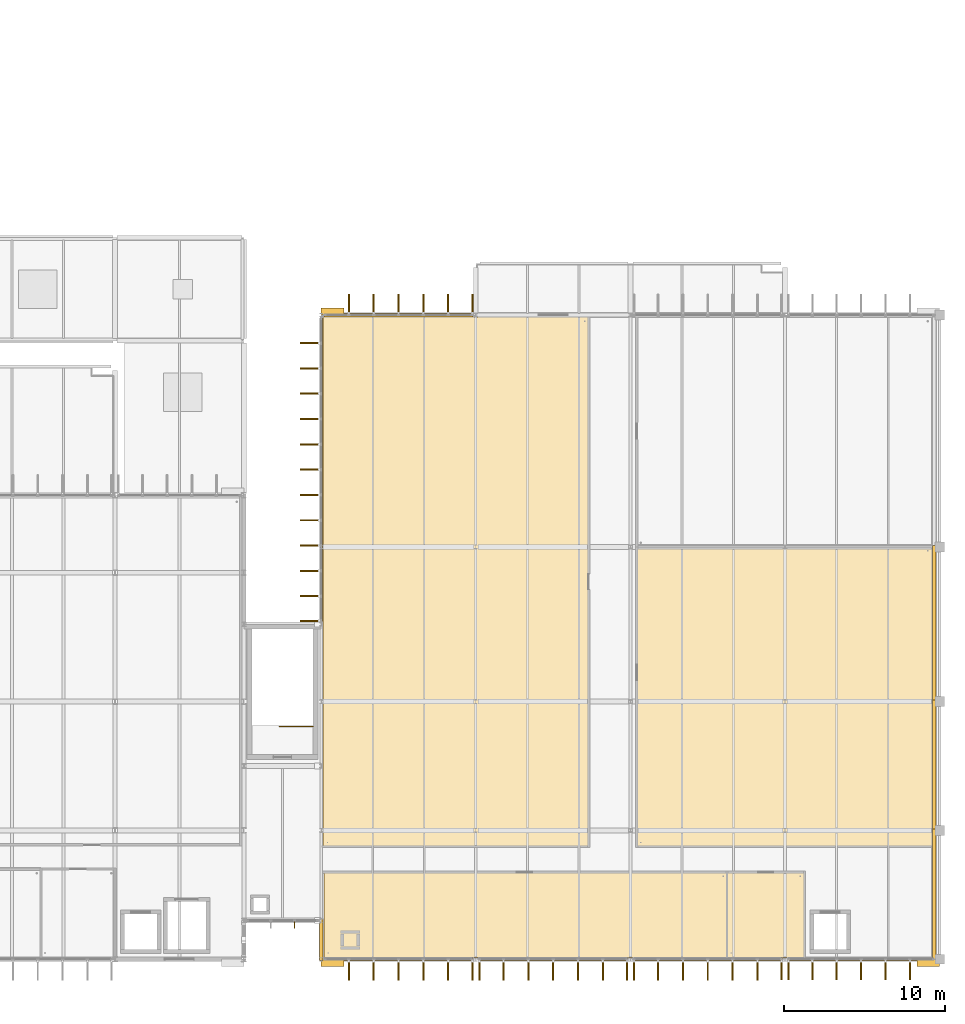
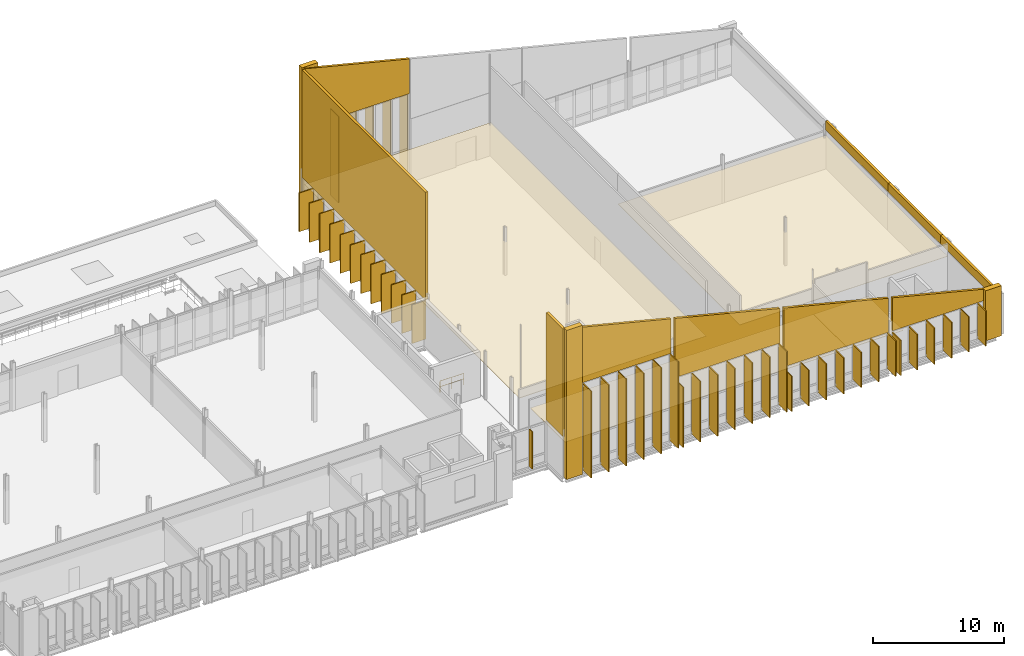
# One storey, part 109 of 110: 61 coverings, 1 railing, 1 shading device.
"""IFC4 building model written with IfcOpenShell, lengths in metres."""

from ifc_helpers import new_model, si_unit, direction, frame, origin, origin_2d, place, context, subcontext, project, spatial, polyline, rectangle, circle, outline, extrude, material, layer, layer_set, type_object, element, save


model = new_model("IFC4")

# Units and contexts
model_context = context("Model", 3, precision=1e-05, world=origin(), true_north=direction((0.0, 1.0)))
body_context = subcontext(model_context, "Body", "Model", "MODEL_VIEW")
ifc_project = project(units=[si_unit("LENGTHUNIT", "METRE"), si_unit("AREAUNIT", "SQUARE_METRE"), si_unit("VOLUMEUNIT", "CUBIC_METRE"), si_unit("PLANEANGLEUNIT", "RADIAN"), si_unit("MASSUNIT", "GRAM", prefix="KILO")], contexts=[model_context])

# Site, building, storey
site_placement = place(None, origin())
site = spatial("IfcSite", under=ifc_project, at=site_placement, CompositionType="ELEMENT")
building_placement = place(site_placement, origin())
building = spatial("IfcBuilding", under=site, at=building_placement, Name="Dunescarp Central Library", CompositionType="ELEMENT")
storey_placement = place(building_placement, frame((0.0, 0.0, 9.60009765625)))
storey = spatial("IfcBuildingStorey", under=building, at=storey_placement, Name="L02", CompositionType="ELEMENT", Elevation=9.60009765625)

# Coverings
ifc_material_1 = material(Name="Mineral-fibre acoustic ceiling tile")
ifc_layer_1 = layer(ifc_material_1, 0.0400390625)
ifc_layer_set_1 = layer_set([ifc_layer_1], Name="Mineral-fibre acoustic ceiling tile")
covering_type_1 = type_object("IfcCoveringType", Name="ARC-COV-CEIL40", PredefinedType="CEILING", material=ifc_layer_set_1)
covering_1_placement = place(storey_placement, frame((0.0, 0.0, 3.0498046875)))
element("IfcCovering", 1, at=covering_1_placement, inside=storey, type_object=covering_type_1, Name="L02 ceiling Family & Accessible WC", PredefinedType="CEILING", context=body_context, shape_type="SweptSolid", body=[
    extrude(outline(polyline([(154.780029296875, 4.919921875), (159.6201171875, 4.919921875), (159.6201171875, 10.219970703125), (154.780029296875, 10.219970703125), (154.780029296875, 4.919921875)])), origin(), (0.0, 0.0, 1.0), 0.0400390625),
])
covering_2_placement = place(storey_placement, frame((0.0, 0.0, 3.0498046875)))
element("IfcCovering", 2, at=covering_2_placement, inside=storey, type_object=covering_type_1, Name="L02 ceiling Young Adult Graphic Novel & Music Lounge", PredefinedType="CEILING", context=body_context, shape_type="SweptSolid", body=[
    extrude(outline(polyline([(129.780029296875, 4.919921875), (154.820068359375, 4.919921875), (154.820068359375, 10.219970703125), (129.780029296875, 10.219970703125), (129.780029296875, 4.919921875)])), origin(), (0.0, 0.0, 1.0), 0.0400390625),
])
covering_3_placement = place(storey_placement, frame((0.0, 0.0, 3.0498046875)))
element("IfcCovering", 3, at=covering_3_placement, inside=storey, type_object=covering_type_1, Name="L02 ceiling Teen Exam Study & Career Hub", PredefinedType="CEILING", context=body_context, shape_type="SweptSolid", body=[
    extrude(outline(polyline([(129.719970703125, 11.780029296875), (146.219970703125, 11.780029296875), (146.219970703125, 44.679931640625), (129.719970703125, 44.679931640625), (129.719970703125, 11.780029296875)])), origin(), (0.0, 0.0, 1.0), 0.0400390625),
])
covering_4_placement = place(storey_placement, frame((0.0, 0.0, 3.0498046875)))
element("IfcCovering", 4, at=covering_4_placement, inside=storey, type_object=covering_type_1, Name="L02 ceiling Youth Digital Gaming & Coding Salon", PredefinedType="CEILING", context=body_context, shape_type="SweptSolid", body=[
    extrude(outline(polyline([(149.179931640625, 11.780029296875), (167.530029296875, 11.780029296875), (167.530029296875, 30.419921875), (149.179931640625, 30.419921875), (149.179931640625, 11.780029296875)])), origin(), (0.0, 0.0, 1.0), 0.0400390625),
])
ifc_material_2 = material(Name="Glass-fibre reinforced concrete GRC", Category="concrete")
ifc_layer_2 = layer(ifc_material_2, 0.219970703125)
ifc_layer_set_2 = layer_set([ifc_layer_2], Name="Glass-fibre reinforced concrete GRC")
covering_type_2 = type_object("IfcCoveringType", Name="ARC-COV-CLER", PredefinedType="CLADDING", material=ifc_layer_set_2)
covering_5_placement = place(storey_placement, frame((139.02490234375, 4.800048828125, 8.296875), z_axis=(0.0, 0.0, 1.0), x_axis=(-1.0, 0.0, 0.0)))
element("IfcCovering", 5, at=covering_5_placement, inside=storey, type_object=covering_type_2, Name="L02 V5 raked clerestory closure CLR-V5-L02-082", PredefinedType="CLADDING", context=body_context, shape_type="SweptSolid", body=[
    extrude(outline(polyline([(0.0, 0.0), (9.25, 0.0), (9.25, 5.5361328125), (0.0, 3.22314453125), (0.0, 0.0)])), frame((0.0, 0.10986328125, 0.0), z_axis=(0.0, -1.0, 0.0), x_axis=(1.0, 0.0, 0.0)), (0.0, 0.0, 1.0), 0.219970703125),
])
covering_6_placement = place(storey_placement, frame((148.625, 4.800048828125, 5.89697265625), z_axis=(0.0, 0.0, 1.0), x_axis=(-1.0, 0.0, 0.0)))
element("IfcCovering", 6, at=covering_6_placement, inside=storey, type_object=covering_type_2, Name="L02 V5 raked clerestory closure CLR-V5-L02-083", PredefinedType="CLADDING", context=body_context, shape_type="SweptSolid", body=[
    extrude(outline(polyline([(0.0, 0.0), (9.25, 0.0), (9.25, 5.534912109375), (0.0, 3.222900390625), (0.0, 0.0)])), frame((0.0, 0.10986328125, 0.0), z_axis=(0.0, -1.0, 0.0), x_axis=(1.0, 0.0, 0.0)), (0.0, 0.0, 1.0), 0.219970703125),
])
covering_7_placement = place(storey_placement, frame((158.22509765625, 4.800048828125, 3.546875), z_axis=(0.0, 0.0, 1.0), x_axis=(-1.0, 0.0, 0.0)))
element("IfcCovering", 7, at=covering_7_placement, inside=storey, type_object=covering_type_2, Name="L02 V5 raked clerestory closure CLR-V5-L02-084", PredefinedType="CLADDING", context=body_context, shape_type="SweptSolid", body=[
    extrude(outline(polyline([(0.0, 0.0), (9.25, 0.0), (9.25, 5.486083984375), (0.0, 3.173095703125), (0.0, 0.0)])), frame((0.0, 0.10986328125, 0.0), z_axis=(0.0, -1.0, 0.0), x_axis=(1.0, 0.0, 0.0)), (0.0, 0.0, 1.0), 0.219970703125),
])
covering_8_placement = place(storey_placement, frame((167.6650390625, 4.800048828125, 3.546875), z_axis=(0.0, 0.0, 1.0), x_axis=(-1.0, 0.0, 0.0)))
element("IfcCovering", 8, at=covering_8_placement, inside=storey, type_object=covering_type_2, Name="L02 V5 raked clerestory closure CLR-V5-L02-085", PredefinedType="CLADDING", context=body_context, shape_type="SweptSolid", body=[
    extrude(outline(polyline([(0.0, 0.0), (9.090087890625, 0.0), (9.090087890625, 3.0859375), (0.0, 0.81298828125), (0.0, 0.0)])), frame((0.0, 0.10986328125, 0.0), z_axis=(0.0, -1.0, 0.0), x_axis=(1.0, 0.0, 0.0)), (0.0, 0.0, 1.0), 0.219970703125),
])
covering_9_placement = place(storey_placement, frame((129.77490234375, 44.800048828125, 8.296875), z_axis=(0.0, 0.0, 1.0), x_axis=(1.0, 0.0, 0.0)))
element("IfcCovering", 9, at=covering_9_placement, inside=storey, type_object=covering_type_2, Name="L02 V5 raked clerestory closure CLR-V5-L02-086", PredefinedType="CLADDING", context=body_context, shape_type="SweptSolid", body=[
    extrude(outline(polyline([(0.0, 0.0), (9.25, 0.0), (9.25, 3.22314453125), (0.0, 5.5361328125), (0.0, 0.0)])), frame((0.0, 0.10986328125, 0.0), z_axis=(0.0, -1.0, 0.0), x_axis=(1.0, 0.0, 0.0)), (0.0, 0.0, 1.0), 0.219970703125),
])
for number, where, z_axis, x_axis, name in (
    (10, (167.64990234375, 12.885009765625, 3.546875), (0.0, 0.0, 1.0), (0.0, -1.0, 0.0), "L02 V5 raked clerestory closure CLR-V5-L02-090"),
    (11, (167.64990234375, 20.885009765625, 3.546875), (0.0, 0.0, 1.0), (0.0, -1.0, 0.0), "L02 V5 raked clerestory closure CLR-V5-L02-091"),
):
    element("IfcCovering", number, at=place(storey_placement, frame(where, z_axis=z_axis, x_axis=x_axis)), inside=storey, type_object=covering_type_2, Name=name, PredefinedType="CLADDING", context=body_context, shape_type="SweptSolid", body=[
        extrude(outline(polyline([(0.0, 0.0), (8.169921875, 0.0), (8.169921875, 0.817138671875), (0.0, 0.817138671875), (0.0, 0.0)])), frame((0.0, 0.10986328125, 0.0), z_axis=(0.0, -1.0, 0.0), x_axis=(1.0, 0.0, 0.0)), (0.0, 0.0, 1.0), 0.219970703125),
    ])
covering_10_placement = place(storey_placement, frame((167.64990234375, 30.485107421875, 3.546875), z_axis=(0.0, 0.0, 1.0), x_axis=(0.0, -1.0, 0.0)))
element("IfcCovering", 12, at=covering_10_placement, inside=storey, type_object=covering_type_2, Name="L02 V5 raked clerestory closure CLR-V5-L02-092", PredefinedType="CLADDING", context=body_context, shape_type="SweptSolid", body=[
    extrude(outline(polyline([(0.0, 0.0), (9.77001953125, 0.0), (9.77001953125, 0.817138671875), (0.0, 0.817138671875), (0.0, 0.0)])), frame((0.0, 0.10986328125, 0.0), z_axis=(0.0, -1.0, 0.0), x_axis=(1.0, 0.0, 0.0)), (0.0, 0.0, 1.0), 0.219970703125),
])
covering_11_placement = place(storey_placement, frame((129.60009765625, 4.715087890625, 3.841796875), z_axis=(0.0, 0.0, 1.0), x_axis=(0.0, 1.0, 0.0)))
element("IfcCovering", 13, at=covering_11_placement, inside=storey, type_object=covering_type_2, Name="L02 V5 raked clerestory closure CLR-V5-L02-094", PredefinedType="CLADDING", context=body_context, shape_type="SweptSolid", body=[
    extrude(outline(polyline([(0.0, 0.0), (2.56982421875, 0.0), (2.570068359375, 10.0341796875), (0.0, 10.0341796875), (0.0, 0.0)])), frame((0.0, 0.10986328125, 0.0), z_axis=(0.0, -1.0, 0.0), x_axis=(1.0, 0.0, 0.0)), (0.0, 0.0, 1.0), 0.219970703125),
])
covering_12_placement = place(storey_placement, frame((129.60009765625, 25.77490234375, 3.841796875), z_axis=(0.0, 0.0, 1.0), x_axis=(0.0, 1.0, 0.0)))
element("IfcCovering", 14, at=covering_12_placement, inside=storey, type_object=covering_type_2, Name="L02 V5 raked clerestory closure CLR-V5-L02-095", PredefinedType="CLADDING", context=body_context, shape_type="SweptSolid", body=[
    extrude(outline(polyline([(0.0, 0.0), (18.85009765625, 0.0), (18.85009765625, 10.0341796875), (0.0, 10.0341796875), (0.0, 0.0)])), frame((0.0, 0.10986328125, 0.0), z_axis=(0.0, -1.0, 0.0), x_axis=(1.0, 0.0, 0.0)), (0.0, 0.0, 1.0), 0.219970703125),
])
ifc_layer_3 = layer(ifc_material_2, 0.090087890625)
ifc_layer_set_3 = layer_set([ifc_layer_3], Name="Glass-fibre reinforced concrete GRC")
covering_type_3 = type_object("IfcCoveringType", Name="ARC-COV-FIN1250", PredefinedType="CLADDING", material=ifc_layer_set_3)
covering_13_placement = place(storey_placement, frame((138.985107421875, 4.137939453125, 0.16650390625), z_axis=(0.0, 0.0, 1.0), x_axis=(0.0, -1.0, 0.0)))
element("IfcCovering", 15, at=covering_13_placement, inside=storey, type_object=covering_type_3, Name="L02 parametric vertical facade fin FIN-L02-1030", PredefinedType="CLADDING", context=body_context, shape_type="SweptSolid", body=[
    extrude(rectangle(XDim=1.25, YDim=0.090087890625, at=origin_2d()), origin(), (0.0, 0.0, 1.0), 8.052978515625),
])
covering_14_placement = place(storey_placement, frame((137.48291015625, 4.137939453125, 0.179931640625), z_axis=(0.0, 0.0, 1.0), x_axis=(0.0, -1.0, 0.0)))
element("IfcCovering", 16, at=covering_14_placement, inside=storey, type_object=covering_type_3, Name="L02 parametric vertical facade fin FIN-L02-1031", PredefinedType="CLADDING", context=body_context, shape_type="SweptSolid", body=[
    extrude(rectangle(XDim=1.25, YDim=0.090087890625, at=origin_2d()), origin(), (0.0, 0.0, 1.0), 8.0400390625),
])
covering_15_placement = place(storey_placement, frame((135.94189453125, 4.137939453125, 0.1640625), z_axis=(0.0, 0.0, 1.0), x_axis=(0.0, -1.0, 0.0)))
element("IfcCovering", 17, at=covering_15_placement, inside=storey, type_object=covering_type_3, Name="L02 parametric vertical facade fin FIN-L02-1032", PredefinedType="CLADDING", context=body_context, shape_type="SweptSolid", body=[
    extrude(rectangle(XDim=1.25, YDim=0.090087890625, at=origin_2d()), origin(), (0.0, 0.0, 1.0), 8.055908203125),
])
covering_16_placement = place(storey_placement, frame((134.39990234375, 4.137939453125, 0.12255859375), z_axis=(0.0, 0.0, 1.0), x_axis=(0.0, -1.0, 0.0)))
element("IfcCovering", 18, at=covering_16_placement, inside=storey, type_object=covering_type_3, Name="L02 parametric vertical facade fin FIN-L02-1033", PredefinedType="CLADDING", context=body_context, shape_type="SweptSolid", body=[
    extrude(rectangle(XDim=1.25, YDim=0.090087890625, at=origin_2d()), origin(), (0.0, 0.0, 1.0), 8.096923828125),
])
covering_17_placement = place(storey_placement, frame((132.85791015625, 4.137939453125, 0.08056640625), z_axis=(0.0, 0.0, 1.0), x_axis=(0.0, -1.0, 0.0)))
element("IfcCovering", 19, at=covering_17_placement, inside=storey, type_object=covering_type_3, Name="L02 parametric vertical facade fin FIN-L02-1034", PredefinedType="CLADDING", context=body_context, shape_type="SweptSolid", body=[
    extrude(rectangle(XDim=1.25, YDim=0.090087890625, at=origin_2d()), origin(), (0.0, 0.0, 1.0), 8.12890625),
])
covering_18_placement = place(storey_placement, frame((131.31689453125, 4.137939453125, 0.080322265625), z_axis=(0.0, 0.0, 1.0), x_axis=(0.0, -1.0, 0.0)))
element("IfcCovering", 20, at=covering_18_placement, inside=storey, type_object=covering_type_3, Name="L02 parametric vertical facade fin FIN-L02-1035", PredefinedType="CLADDING", context=body_context, shape_type="SweptSolid", body=[
    extrude(rectangle(XDim=1.25, YDim=0.090087890625, at=origin_2d()), origin(), (0.0, 0.0, 1.0), 8.0791015625),
])
covering_19_placement = place(storey_placement, frame((148.5849609375, 4.137939453125, 0.16650390625), z_axis=(0.0, 0.0, 1.0), x_axis=(0.0, -1.0, 0.0)))
element("IfcCovering", 21, at=covering_19_placement, inside=storey, type_object=covering_type_3, Name="L02 parametric vertical facade fin FIN-L02-1036", PredefinedType="CLADDING", context=body_context, shape_type="SweptSolid", body=[
    extrude(rectangle(XDim=1.25, YDim=0.090087890625, at=origin_2d()), origin(), (0.0, 0.0, 1.0), 5.653076171875),
])
covering_20_placement = place(storey_placement, frame((147.0830078125, 4.137939453125, 0.18017578125), z_axis=(0.0, 0.0, 1.0), x_axis=(0.0, -1.0, 0.0)))
element("IfcCovering", 22, at=covering_20_placement, inside=storey, type_object=covering_type_3, Name="L02 parametric vertical facade fin FIN-L02-1037", PredefinedType="CLADDING", context=body_context, shape_type="SweptSolid", body=[
    extrude(rectangle(XDim=1.25, YDim=0.090087890625, at=origin_2d()), origin(), (0.0, 0.0, 1.0), 5.639892578125),
])
covering_21_placement = place(storey_placement, frame((145.5419921875, 4.137939453125, 0.1640625), z_axis=(0.0, 0.0, 1.0), x_axis=(0.0, -1.0, 0.0)))
element("IfcCovering", 23, at=covering_21_placement, inside=storey, type_object=covering_type_3, Name="L02 parametric vertical facade fin FIN-L02-1038", PredefinedType="CLADDING", context=body_context, shape_type="SweptSolid", body=[
    extrude(rectangle(XDim=1.25, YDim=0.090087890625, at=origin_2d()), origin(), (0.0, 0.0, 1.0), 5.656005859375),
])
covering_22_placement = place(storey_placement, frame((144.0, 4.137939453125, 0.12353515625), z_axis=(0.0, 0.0, 1.0), x_axis=(0.0, -1.0, 0.0)))
element("IfcCovering", 24, at=covering_22_placement, inside=storey, type_object=covering_type_3, Name="L02 parametric vertical facade fin FIN-L02-1039", PredefinedType="CLADDING", context=body_context, shape_type="SweptSolid", body=[
    extrude(rectangle(XDim=1.25, YDim=0.090087890625, at=origin_2d()), origin(), (0.0, 0.0, 1.0), 5.697021484375),
])
covering_23_placement = place(storey_placement, frame((142.4580078125, 4.137939453125, 0.079345703125), z_axis=(0.0, 0.0, 1.0), x_axis=(0.0, -1.0, 0.0)))
element("IfcCovering", 25, at=covering_23_placement, inside=storey, type_object=covering_type_3, Name="L02 parametric vertical facade fin FIN-L02-1040", PredefinedType="CLADDING", context=body_context, shape_type="SweptSolid", body=[
    extrude(rectangle(XDim=1.25, YDim=0.090087890625, at=origin_2d()), origin(), (0.0, 0.0, 1.0), 5.72900390625),
])
covering_24_placement = place(storey_placement, frame((140.9169921875, 4.137939453125, 0.08056640625), z_axis=(0.0, 0.0, 1.0), x_axis=(0.0, -1.0, 0.0)))
element("IfcCovering", 26, at=covering_24_placement, inside=storey, type_object=covering_type_3, Name="L02 parametric vertical facade fin FIN-L02-1041", PredefinedType="CLADDING", context=body_context, shape_type="SweptSolid", body=[
    extrude(rectangle(XDim=1.25, YDim=0.090087890625, at=origin_2d()), origin(), (0.0, 0.0, 1.0), 5.678955078125),
])
covering_25_placement = place(storey_placement, frame((139.4150390625, 4.137939453125, 0.079833984375), z_axis=(0.0, 0.0, 1.0), x_axis=(0.0, -1.0, 0.0)))
element("IfcCovering", 27, at=covering_25_placement, inside=storey, type_object=covering_type_3, Name="L02 parametric vertical facade fin FIN-L02-1042", PredefinedType="CLADDING", context=body_context, shape_type="SweptSolid", body=[
    extrude(rectangle(XDim=1.25, YDim=0.090087890625, at=origin_2d()), origin(), (0.0, 0.0, 1.0), 5.64599609375),
])
covering_26_placement = place(storey_placement, frame((158.18505859375, 4.137939453125, 0.16650390625), z_axis=(0.0, 0.0, 1.0), x_axis=(0.0, -1.0, 0.0)))
element("IfcCovering", 28, at=covering_26_placement, inside=storey, type_object=covering_type_3, Name="L02 parametric vertical facade fin FIN-L02-1043", PredefinedType="CLADDING", context=body_context, shape_type="SweptSolid", body=[
    extrude(rectangle(XDim=1.25, YDim=0.090087890625, at=origin_2d()), origin(), (0.0, 0.0, 1.0), 3.302978515625),
])
covering_27_placement = place(storey_placement, frame((156.68310546875, 4.137939453125, 0.179931640625), z_axis=(0.0, 0.0, 1.0), x_axis=(0.0, -1.0, 0.0)))
element("IfcCovering", 29, at=covering_27_placement, inside=storey, type_object=covering_type_3, Name="L02 parametric vertical facade fin FIN-L02-1044", PredefinedType="CLADDING", context=body_context, shape_type="SweptSolid", body=[
    extrude(rectangle(XDim=1.25, YDim=0.090087890625, at=origin_2d()), origin(), (0.0, 0.0, 1.0), 3.2900390625),
])
covering_28_placement = place(storey_placement, frame((155.14208984375, 4.137939453125, 0.1640625), z_axis=(0.0, 0.0, 1.0), x_axis=(0.0, -1.0, 0.0)))
element("IfcCovering", 30, at=covering_28_placement, inside=storey, type_object=covering_type_3, Name="L02 parametric vertical facade fin FIN-L02-1045", PredefinedType="CLADDING", context=body_context, shape_type="SweptSolid", body=[
    extrude(rectangle(XDim=1.25, YDim=0.090087890625, at=origin_2d()), origin(), (0.0, 0.0, 1.0), 3.305908203125),
])
covering_29_placement = place(storey_placement, frame((153.60009765625, 4.137939453125, 0.12255859375), z_axis=(0.0, 0.0, 1.0), x_axis=(0.0, -1.0, 0.0)))
element("IfcCovering", 31, at=covering_29_placement, inside=storey, type_object=covering_type_3, Name="L02 parametric vertical facade fin FIN-L02-1046", PredefinedType="CLADDING", context=body_context, shape_type="SweptSolid", body=[
    extrude(rectangle(XDim=1.25, YDim=0.090087890625, at=origin_2d()), origin(), (0.0, 0.0, 1.0), 3.346923828125),
])
covering_30_placement = place(storey_placement, frame((152.05810546875, 4.137939453125, 0.079345703125), z_axis=(0.0, 0.0, 1.0), x_axis=(0.0, -1.0, 0.0)))
element("IfcCovering", 32, at=covering_30_placement, inside=storey, type_object=covering_type_3, Name="L02 parametric vertical facade fin FIN-L02-1047", PredefinedType="CLADDING", context=body_context, shape_type="SweptSolid", body=[
    extrude(rectangle(XDim=1.25, YDim=0.090087890625, at=origin_2d()), origin(), (0.0, 0.0, 1.0), 3.37890625),
])
covering_31_placement = place(storey_placement, frame((150.51708984375, 4.137939453125, 0.080322265625), z_axis=(0.0, 0.0, 1.0), x_axis=(0.0, -1.0, 0.0)))
element("IfcCovering", 33, at=covering_31_placement, inside=storey, type_object=covering_type_3, Name="L02 parametric vertical facade fin FIN-L02-1048", PredefinedType="CLADDING", context=body_context, shape_type="SweptSolid", body=[
    extrude(rectangle(XDim=1.25, YDim=0.090087890625, at=origin_2d()), origin(), (0.0, 0.0, 1.0), 3.3291015625),
])
covering_32_placement = place(storey_placement, frame((149.014892578125, 4.137939453125, 0.079833984375), z_axis=(0.0, 0.0, 1.0), x_axis=(0.0, -1.0, 0.0)))
element("IfcCovering", 34, at=covering_32_placement, inside=storey, type_object=covering_type_3, Name="L02 parametric vertical facade fin FIN-L02-1049", PredefinedType="CLADDING", context=body_context, shape_type="SweptSolid", body=[
    extrude(rectangle(XDim=1.25, YDim=0.090087890625, at=origin_2d()), origin(), (0.0, 0.0, 1.0), 3.2958984375),
])
covering_33_placement = place(storey_placement, frame((166.14990234375, 4.137939453125, 0.179931640625), z_axis=(0.0, 0.0, 1.0), x_axis=(0.0, -1.0, 0.0)))
element("IfcCovering", 35, at=covering_33_placement, inside=storey, type_object=covering_type_3, Name="L02 parametric vertical facade fin FIN-L02-1050", PredefinedType="CLADDING", context=body_context, shape_type="SweptSolid", body=[
    extrude(rectangle(XDim=1.25, YDim=0.090087890625, at=origin_2d()), origin(), (0.0, 0.0, 1.0), 3.2900390625),
])
covering_34_placement = place(storey_placement, frame((164.635009765625, 4.137939453125, 0.1640625), z_axis=(0.0, 0.0, 1.0), x_axis=(0.0, -1.0, 0.0)))
element("IfcCovering", 36, at=covering_34_placement, inside=storey, type_object=covering_type_3, Name="L02 parametric vertical facade fin FIN-L02-1051", PredefinedType="CLADDING", context=body_context, shape_type="SweptSolid", body=[
    extrude(rectangle(XDim=1.25, YDim=0.090087890625, at=origin_2d()), origin(), (0.0, 0.0, 1.0), 3.305908203125),
])
covering_35_placement = place(storey_placement, frame((163.1201171875, 4.137939453125, 0.12255859375), z_axis=(0.0, 0.0, 1.0), x_axis=(0.0, -1.0, 0.0)))
element("IfcCovering", 37, at=covering_35_placement, inside=storey, type_object=covering_type_3, Name="L02 parametric vertical facade fin FIN-L02-1052", PredefinedType="CLADDING", context=body_context, shape_type="SweptSolid", body=[
    extrude(rectangle(XDim=1.25, YDim=0.090087890625, at=origin_2d()), origin(), (0.0, 0.0, 1.0), 3.346923828125),
])
covering_36_placement = place(storey_placement, frame((161.60498046875, 4.137939453125, 0.079345703125), z_axis=(0.0, 0.0, 1.0), x_axis=(0.0, -1.0, 0.0)))
element("IfcCovering", 38, at=covering_36_placement, inside=storey, type_object=covering_type_3, Name="L02 parametric vertical facade fin FIN-L02-1053", PredefinedType="CLADDING", context=body_context, shape_type="SweptSolid", body=[
    extrude(rectangle(XDim=1.25, YDim=0.090087890625, at=origin_2d()), origin(), (0.0, 0.0, 1.0), 3.37890625),
])
covering_37_placement = place(storey_placement, frame((160.090087890625, 4.137939453125, 0.080322265625), z_axis=(0.0, 0.0, 1.0), x_axis=(0.0, -1.0, 0.0)))
element("IfcCovering", 39, at=covering_37_placement, inside=storey, type_object=covering_type_3, Name="L02 parametric vertical facade fin FIN-L02-1054", PredefinedType="CLADDING", context=body_context, shape_type="SweptSolid", body=[
    extrude(rectangle(XDim=1.25, YDim=0.090087890625, at=origin_2d()), origin(), (0.0, 0.0, 1.0), 3.3291015625),
])
covering_38_placement = place(storey_placement, frame((158.614990234375, 4.137939453125, 0.079833984375), z_axis=(0.0, 0.0, 1.0), x_axis=(0.0, -1.0, 0.0)))
element("IfcCovering", 40, at=covering_38_placement, inside=storey, type_object=covering_type_3, Name="L02 parametric vertical facade fin FIN-L02-1055", PredefinedType="CLADDING", context=body_context, shape_type="SweptSolid", body=[
    extrude(rectangle(XDim=1.25, YDim=0.090087890625, at=origin_2d()), origin(), (0.0, 0.0, 1.0), 3.2958984375),
])
covering_39_placement = place(storey_placement, frame((131.31689453125, 45.4619140625, 0.179931640625), z_axis=(0.0, 0.0, 1.0), x_axis=(0.0, 1.0, 0.0)))
element("IfcCovering", 41, at=covering_39_placement, inside=storey, type_object=covering_type_3, Name="L02 parametric vertical facade fin FIN-L02-1056", PredefinedType="CLADDING", context=body_context, shape_type="SweptSolid", body=[
    extrude(rectangle(XDim=1.25, YDim=0.090087890625, at=origin_2d()), origin(), (0.0, 0.0, 1.0), 8.0400390625),
])
covering_40_placement = place(storey_placement, frame((132.85791015625, 45.4619140625, 0.1640625), z_axis=(0.0, 0.0, 1.0), x_axis=(0.0, 1.0, 0.0)))
element("IfcCovering", 42, at=covering_40_placement, inside=storey, type_object=covering_type_3, Name="L02 parametric vertical facade fin FIN-L02-1057", PredefinedType="CLADDING", context=body_context, shape_type="SweptSolid", body=[
    extrude(rectangle(XDim=1.25, YDim=0.090087890625, at=origin_2d()), origin(), (0.0, 0.0, 1.0), 8.055908203125),
])
covering_41_placement = place(storey_placement, frame((134.39990234375, 45.4619140625, 0.12255859375), z_axis=(0.0, 0.0, 1.0), x_axis=(0.0, 1.0, 0.0)))
element("IfcCovering", 43, at=covering_41_placement, inside=storey, type_object=covering_type_3, Name="L02 parametric vertical facade fin FIN-L02-1058", PredefinedType="CLADDING", context=body_context, shape_type="SweptSolid", body=[
    extrude(rectangle(XDim=1.25, YDim=0.090087890625, at=origin_2d()), origin(), (0.0, 0.0, 1.0), 8.096923828125),
])
covering_42_placement = place(storey_placement, frame((135.94189453125, 45.4619140625, 0.08056640625), z_axis=(0.0, 0.0, 1.0), x_axis=(0.0, 1.0, 0.0)))
element("IfcCovering", 44, at=covering_42_placement, inside=storey, type_object=covering_type_3, Name="L02 parametric vertical facade fin FIN-L02-1059", PredefinedType="CLADDING", context=body_context, shape_type="SweptSolid", body=[
    extrude(rectangle(XDim=1.25, YDim=0.090087890625, at=origin_2d()), origin(), (0.0, 0.0, 1.0), 8.12890625),
])
covering_43_placement = place(storey_placement, frame((137.48291015625, 45.4619140625, 0.080322265625), z_axis=(0.0, 0.0, 1.0), x_axis=(0.0, 1.0, 0.0)))
element("IfcCovering", 45, at=covering_43_placement, inside=storey, type_object=covering_type_3, Name="L02 parametric vertical facade fin FIN-L02-1060", PredefinedType="CLADDING", context=body_context, shape_type="SweptSolid", body=[
    extrude(rectangle(XDim=1.25, YDim=0.090087890625, at=origin_2d()), origin(), (0.0, 0.0, 1.0), 8.0791015625),
])
covering_44_placement = place(storey_placement, frame((138.985107421875, 45.4619140625, 0.079833984375), z_axis=(0.0, 0.0, 1.0), x_axis=(0.0, 1.0, 0.0)))
element("IfcCovering", 46, at=covering_44_placement, inside=storey, type_object=covering_type_3, Name="L02 parametric vertical facade fin FIN-L02-1061", PredefinedType="CLADDING", context=body_context, shape_type="SweptSolid", body=[
    extrude(rectangle(XDim=1.25, YDim=0.090087890625, at=origin_2d()), origin(), (0.0, 0.0, 1.0), 8.0458984375),
])
covering_45_placement = place(storey_placement, frame((128.93798828125, 25.81494140625, 0.1669921875), z_axis=(0.0, 0.0, 1.0), x_axis=(-1.0, 0.0, 0.0)))
element("IfcCovering", 47, at=covering_45_placement, inside=storey, type_object=covering_type_3, Name="L02 parametric vertical facade fin FIN-L02-1075", PredefinedType="CLADDING", context=body_context, shape_type="SweptSolid", body=[
    extrude(rectangle(XDim=1.25, YDim=0.090087890625, at=origin_2d()), origin(), (0.0, 0.0, 1.0), 3.597900390625),
])
covering_46_placement = place(storey_placement, frame((128.93798828125, 27.345947265625, 0.179443359375), z_axis=(0.0, 0.0, 1.0), x_axis=(-1.0, 0.0, 0.0)))
element("IfcCovering", 48, at=covering_46_placement, inside=storey, type_object=covering_type_3, Name="L02 parametric vertical facade fin FIN-L02-1076", PredefinedType="CLADDING", context=body_context, shape_type="SweptSolid", body=[
    extrude(rectangle(XDim=1.25, YDim=0.090087890625, at=origin_2d()), origin(), (0.0, 0.0, 1.0), 3.5849609375),
])
covering_47_placement = place(storey_placement, frame((128.93798828125, 28.9169921875, 0.163330078125), z_axis=(0.0, 0.0, 1.0), x_axis=(-1.0, 0.0, 0.0)))
element("IfcCovering", 49, at=covering_47_placement, inside=storey, type_object=covering_type_3, Name="L02 parametric vertical facade fin FIN-L02-1077", PredefinedType="CLADDING", context=body_context, shape_type="SweptSolid", body=[
    extrude(rectangle(XDim=1.25, YDim=0.090087890625, at=origin_2d()), origin(), (0.0, 0.0, 1.0), 3.60107421875),
])
covering_48_placement = place(storey_placement, frame((128.93798828125, 30.487060546875, 0.122802734375), z_axis=(0.0, 0.0, 1.0), x_axis=(-1.0, 0.0, 0.0)))
element("IfcCovering", 50, at=covering_48_placement, inside=storey, type_object=covering_type_3, Name="L02 parametric vertical facade fin FIN-L02-1078", PredefinedType="CLADDING", context=body_context, shape_type="SweptSolid", body=[
    extrude(rectangle(XDim=1.25, YDim=0.090087890625, at=origin_2d()), origin(), (0.0, 0.0, 1.0), 3.64208984375),
])
covering_49_placement = place(storey_placement, frame((128.93798828125, 32.05810546875, 0.080078125), z_axis=(0.0, 0.0, 1.0), x_axis=(-1.0, 0.0, 0.0)))
element("IfcCovering", 51, at=covering_49_placement, inside=storey, type_object=covering_type_3, Name="L02 parametric vertical facade fin FIN-L02-1079", PredefinedType="CLADDING", context=body_context, shape_type="SweptSolid", body=[
    extrude(rectangle(XDim=1.25, YDim=0.090087890625, at=origin_2d()), origin(), (0.0, 0.0, 1.0), 3.674072265625),
])
covering_50_placement = place(storey_placement, frame((128.93798828125, 33.62890625, 0.079833984375), z_axis=(0.0, 0.0, 1.0), x_axis=(-1.0, 0.0, 0.0)))
element("IfcCovering", 52, at=covering_50_placement, inside=storey, type_object=covering_type_3, Name="L02 parametric vertical facade fin FIN-L02-1080", PredefinedType="CLADDING", context=body_context, shape_type="SweptSolid", body=[
    extrude(rectangle(XDim=1.25, YDim=0.090087890625, at=origin_2d()), origin(), (0.0, 0.0, 1.0), 3.6240234375),
])
covering_51_placement = place(storey_placement, frame((128.93798828125, 35.199951171875, 0.08056640625), z_axis=(0.0, 0.0, 1.0), x_axis=(-1.0, 0.0, 0.0)))
element("IfcCovering", 53, at=covering_51_placement, inside=storey, type_object=covering_type_3, Name="L02 parametric vertical facade fin FIN-L02-1081", PredefinedType="CLADDING", context=body_context, shape_type="SweptSolid", body=[
    extrude(rectangle(XDim=1.25, YDim=0.090087890625, at=origin_2d()), origin(), (0.0, 0.0, 1.0), 3.591064453125),
])
covering_52_placement = place(storey_placement, frame((128.93798828125, 36.77099609375, 0.079345703125), z_axis=(0.0, 0.0, 1.0), x_axis=(-1.0, 0.0, 0.0)))
element("IfcCovering", 54, at=covering_52_placement, inside=storey, type_object=covering_type_3, Name="L02 parametric vertical facade fin FIN-L02-1082", PredefinedType="CLADDING", context=body_context, shape_type="SweptSolid", body=[
    extrude(rectangle(XDim=1.25, YDim=0.090087890625, at=origin_2d()), origin(), (0.0, 0.0, 1.0), 3.5869140625),
])
covering_53_placement = place(storey_placement, frame((128.93798828125, 38.342041015625, 0.08056640625), z_axis=(0.0, 0.0, 1.0), x_axis=(-1.0, 0.0, 0.0)))
element("IfcCovering", 55, at=covering_53_placement, inside=storey, type_object=covering_type_3, Name="L02 parametric vertical facade fin FIN-L02-1083", PredefinedType="CLADDING", context=body_context, shape_type="SweptSolid", body=[
    extrude(rectangle(XDim=1.25, YDim=0.090087890625, at=origin_2d()), origin(), (0.0, 0.0, 1.0), 3.611083984375),
])
covering_54_placement = place(storey_placement, frame((128.93798828125, 39.9130859375, 0.07958984375), z_axis=(0.0, 0.0, 1.0), x_axis=(-1.0, 0.0, 0.0)))
element("IfcCovering", 56, at=covering_54_placement, inside=storey, type_object=covering_type_3, Name="L02 parametric vertical facade fin FIN-L02-1084", PredefinedType="CLADDING", context=body_context, shape_type="SweptSolid", body=[
    extrude(rectangle(XDim=1.25, YDim=0.090087890625, at=origin_2d()), origin(), (0.0, 0.0, 1.0), 3.656982421875),
])
covering_55_placement = place(storey_placement, frame((128.93798828125, 41.48291015625, 0.10546875), z_axis=(0.0, 0.0, 1.0), x_axis=(-1.0, 0.0, 0.0)))
element("IfcCovering", 57, at=covering_55_placement, inside=storey, type_object=covering_type_3, Name="L02 parametric vertical facade fin FIN-L02-1085", PredefinedType="CLADDING", context=body_context, shape_type="SweptSolid", body=[
    extrude(rectangle(XDim=1.25, YDim=0.090087890625, at=origin_2d()), origin(), (0.0, 0.0, 1.0), 3.658935546875),
])
covering_56_placement = place(storey_placement, frame((128.93798828125, 43.053955078125, 0.15283203125), z_axis=(0.0, 0.0, 1.0), x_axis=(-1.0, 0.0, 0.0)))
element("IfcCovering", 58, at=covering_56_placement, inside=storey, type_object=covering_type_3, Name="L02 parametric vertical facade fin FIN-L02-1086", PredefinedType="CLADDING", context=body_context, shape_type="SweptSolid", body=[
    extrude(rectangle(XDim=1.25, YDim=0.090087890625, at=origin_2d()), origin(), (0.0, 0.0, 1.0), 3.612060546875),
])
ifc_layer_4 = layer(ifc_material_2, 0.449951171875)
ifc_layer_set_4 = layer_set([ifc_layer_4], Name="Glass-fibre reinforced concrete GRC")
covering_type_4 = type_object("IfcCoveringType", Name="ARC-COV-PORTAL", PredefinedType="CLADDING", material=ifc_layer_set_4)
for number, where, z_axis, x_axis, name in (
    (59, (130.300048828125, 4.580078125, -0.00048828125), (0.0, 0.0, 1.0), (1.0, 0.0, 0.0), "V5 sculpted GRC portal pier PRT-BAND-V5-057"),
    (60, (130.300048828125, 45.02001953125, -0.00048828125), (0.0, 0.0, 1.0), (1.0, 0.0, 0.0), "V5 sculpted GRC portal pier PRT-BAND-V5-058"),
):
    element("IfcCovering", number, at=place(storey_placement, frame(where, z_axis=z_axis, x_axis=x_axis)), inside=storey, type_object=covering_type_4, Name=name, PredefinedType="CLADDING", context=body_context, shape_type="SweptSolid", body=[
        extrude(rectangle(XDim=1.39990234375, YDim=0.449951171875, at=origin_2d()), origin(), (0.0, 0.0, 1.0), 13.925048828125),
    ])
covering_57_placement = place(storey_placement, frame((167.300048828125, 4.580078125, 0.00048828125), z_axis=(0.0, 0.0, 1.0), x_axis=(1.0, 0.0, 0.0)))
element("IfcCovering", 61, at=covering_57_placement, inside=storey, type_object=covering_type_4, Name="V5 sculpted GRC portal pier PRT-BAND-V5-059", PredefinedType="CLADDING", context=body_context, shape_type="SweptSolid", body=[
    extrude(rectangle(XDim=1.39990234375, YDim=0.449951171875, at=origin_2d()), origin(), (0.0, 0.0, 1.0), 4.675048828125),
])

# Railing
ifc_material_3 = material(Name="Stainless steel Grade 316L", Category="steel")
railing_type = type_object("IfcRailingType", Name="ARC-RL-GUARD", PredefinedType="GUARDRAIL", material=ifc_material_3)
railing_placement = place(storey_placement, frame((129.10009765625, 19.25, 0.0)))
element("IfcRailing", 62, at=railing_placement, inside=storey, type_object=railing_type, Name="L02 ST-5 top well guard 1", PredefinedType="GUARDRAIL", context=body_context, shape_type="SweptSolid", body=[
    extrude(circle(Radius=0.02392578125, at=origin_2d()), frame((0.0, 0.0, 1.076171875), z_axis=(-1.0, 0.0, 0.0), x_axis=(0.0, -1.0, 0.0)), (0.0, 0.0, 1.0), 2.080078125),
    extrude(circle(Radius=0.02392578125, at=origin_2d()), frame((0.0, 0.0, 0.550048828125), z_axis=(-1.0, 0.0, 0.0), x_axis=(0.0, -1.0, 0.0)), (0.0, 0.0, 1.0), 2.080078125),
    extrude(circle(Radius=0.02099609375, at=origin_2d()), origin(), (0.0, 0.0, 1.0), 1.052001953125),
    extrude(circle(Radius=0.02099609375, at=origin_2d()), frame((-1.0400390625, 0.0, 0.0)), (0.0, 0.0, 1.0), 1.052001953125),
    extrude(circle(Radius=0.02099609375, at=origin_2d()), frame((-2.080078125, 0.0, 0.0)), (0.0, 0.0, 1.0), 1.052001953125),
])

# Shading device
ifc_material_4 = material(Name="Marine-grade anodised aluminium 6063-T6", Category="aluminium")
ifc_layer_5 = layer(ifc_material_4, 0.06005859375)
ifc_layer_set_5 = layer_set([ifc_layer_5], Name="Marine-grade anodised aluminium 6063-T6")
shading_device_type = type_object("IfcShadingDeviceType", Name="ARC-SHD-FIN", PredefinedType="USERDEFINED", material=ifc_layer_set_5)
shading_device_placement = place(storey_placement, frame((127.94189453125, 6.93896484375, 0.150390625), z_axis=(0.0, 0.0, 1.0), x_axis=(0.0, -1.0, 0.0)))
element("IfcShadingDevice", 63, at=shading_device_placement, inside=storey, type_object=shading_device_type, Name="L02 link sunshade fin SHDF-L02-1114", ObjectType="FIN", PredefinedType="USERDEFINED", context=body_context, shape_type="SweptSolid", body=[
    extrude(rectangle(XDim=0.449951171875, YDim=0.06005859375, at=origin_2d()), origin(), (0.0, 0.0, 1.0), 3.47509765625),
])

save(model, "model.ifc")
